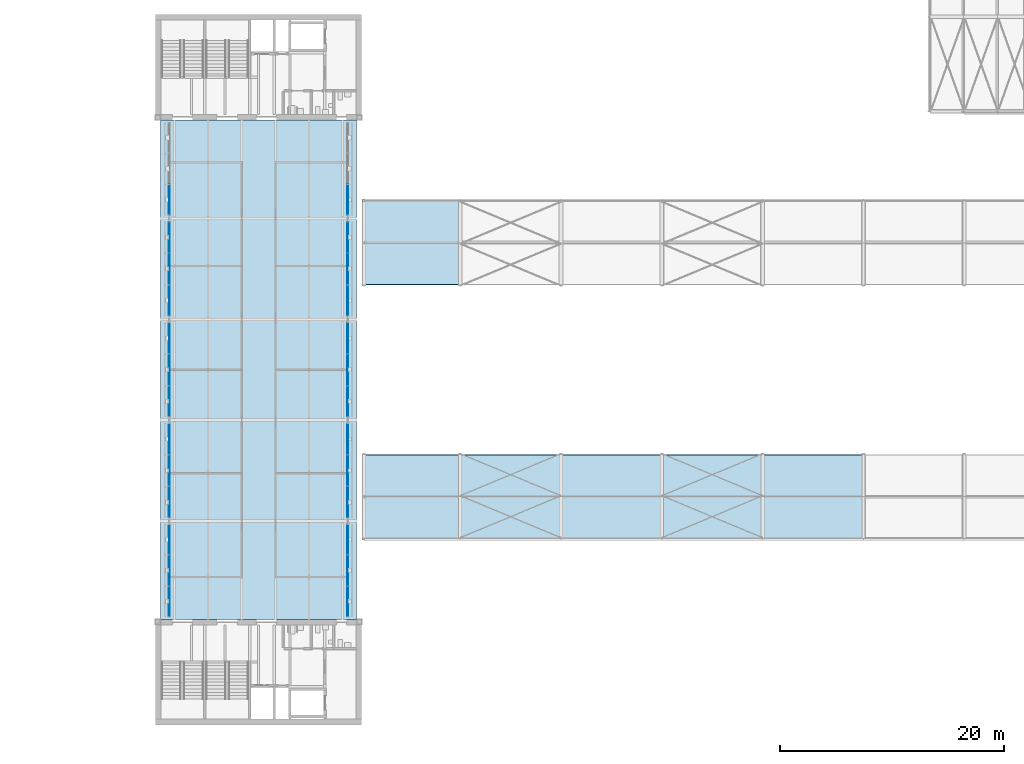
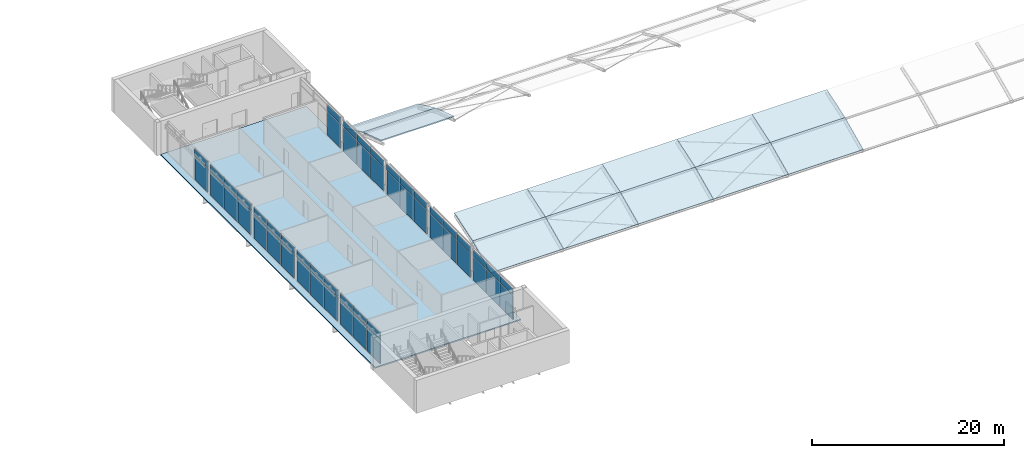
# One storey, part 17 of 54: 52 plates, 13 slabs, 10 elements without a shape of their own.
"""IFC4 building model written with IfcOpenShell, lengths in metres."""

import ifcopenshell
import ifcopenshell.guid

model = None  # the IFC model being written
_history = None  # IfcOwnerHistory: only IFC2X3 demands one
_inside = {}  # id of a spatial element -> (the spatial element, [elements in it])
_under = {}  # id of a project, library or spatial element -> (it, [spatial elements below it])
_declared = {}  # id of a project -> (the project, [libraries it declares])
_typed = {}  # id of a type object -> (the type object, [elements of that type])
_made_of = {}  # id of a material, layer set ... -> (it, [elements and type objects made of it])


def new_model(schema):
    """Start an empty IFC model of exactly this schema.

    Asked for "IFC4X3", IfcOpenShell would pick the latest addendum, in which some entities
    have other attributes; the version numbers below select the first issue.
    IFC2X3 requires an IfcOwnerHistory on every rooted entity: one is made here for all.
    """
    global model, _history
    if schema == "IFC4X3":
        model = ifcopenshell.file(schema_version=(4, 3, 0, 0))
    else:
        model = ifcopenshell.file(schema=schema)
    _inside.clear()
    _under.clear()
    _declared.clear()
    _typed.clear()
    _made_of.clear()
    _history = None
    if model.schema == "IFC2X3":
        org = make("IfcOrganization", Name="unknown")
        user = make(
            "IfcPersonAndOrganization",
            ThePerson=make("IfcPerson", FamilyName="unknown"),
            TheOrganization=org,
        )
        app = make(
            "IfcApplication",
            ApplicationDeveloper=org,
            Version="unknown",
            ApplicationFullName="unknown",
            ApplicationIdentifier="unknown",
        )
        _history = make(
            "IfcOwnerHistory",
            OwningUser=user,
            OwningApplication=app,
            ChangeAction="ADDED",
            CreationDate=0,
        )
    return model


def make(cls, **values):
    """One entity of the class cls with the attributes given. An attribute that is None is left unset."""
    return model.create_entity(
        cls, **{name: value for name, value in values.items() if value is not None}
    )


def rooted(cls, **values):
    """An entity with a GlobalId (a new one), such as an element, a storey or a relation."""
    return make(cls, GlobalId=ifcopenshell.guid.new(), OwnerHistory=_history, **values)


def si_unit(unit_type, name, prefix=None):
    """IfcSIUnit, for example si_unit("LENGTHUNIT", "METRE", prefix="MILLI")."""
    return make("IfcSIUnit", UnitType=unit_type, Prefix=prefix, Name=name)


def assignment(units):
    """IfcUnitAssignment: the units of a project."""
    return None if units is None else make("IfcUnitAssignment", Units=units)


def point(xyz):
    """IfcCartesianPoint."""
    return None if xyz is None else make("IfcCartesianPoint", Coordinates=xyz)


def direction(xyz):
    """IfcDirection."""
    return None if xyz is None else make("IfcDirection", DirectionRatios=xyz)


def frame(location, z_axis=None, x_axis=None):
    """IfcAxis2Placement3D, a coordinate frame: its origin and axes. An axis left out is left unset."""
    return make(
        "IfcAxis2Placement3D",
        Location=point(location),
        Axis=direction(z_axis),
        RefDirection=direction(x_axis),
    )


def frame_2d(location, x_axis=None):
    """IfcAxis2Placement2D, a coordinate frame in the plane: its origin and x axis."""
    return make(
        "IfcAxis2Placement2D", Location=point(location), RefDirection=direction(x_axis)
    )


def origin():
    """The frame at (0, 0, 0) with its axes left unset."""
    return frame((0.0, 0.0, 0.0))


def origin_2d():
    """The frame at (0, 0) in the plane with its x axis left unset."""
    return frame_2d((0.0, 0.0))


def place(relative_to, where):
    """IfcLocalPlacement: puts the frame where relative to a parent placement (None: the world)."""
    return make(
        "IfcLocalPlacement", PlacementRelTo=relative_to, RelativePlacement=where
    )


def context(
    kind, dimensions, precision=None, world=None, true_north=None, identifier=None
):
    """IfcGeometricRepresentationContext, for example the 3D "Model" context."""
    return make(
        "IfcGeometricRepresentationContext",
        ContextIdentifier=identifier,
        ContextType=kind,
        CoordinateSpaceDimension=dimensions,
        Precision=precision,
        WorldCoordinateSystem=world,
        TrueNorth=true_north,
    )


def subcontext(parent, identifier, kind, view, scale=None):
    """IfcGeometricRepresentationSubContext, for example "Body" below "Model"."""
    return make(
        "IfcGeometricRepresentationSubContext",
        ContextIdentifier=identifier,
        ContextType=kind,
        ParentContext=parent,
        TargetScale=scale,
        TargetView=view,
    )


def project(units=None, contexts=None):
    """IfcProject with its units and contexts."""
    return rooted(
        "IfcProject",
        Name="project",
        RepresentationContexts=contexts,
        UnitsInContext=assignment(units),
    )


def spatial(cls, under=None, at=None, **own):
    """A site, building, storey or space (cls), placed at a placement, below another one or the project."""
    s = rooted(cls, ObjectPlacement=at, **own)
    if under is not None:
        _under.setdefault(under.id(), (under, []))[1].append(s)
    return s


def polyline(points):
    """IfcPolyline through the points."""
    return make("IfcPolyline", Points=[point(p) for p in points])


def profile(cls, at=None, kind="AREA", **sizes):
    """A parametric profile (cls). Its sizes go by their IFC names, for example OverallWidth=200.0."""
    return make(cls, ProfileType=kind, Position=at, **sizes)


def rectangle(**sizes):
    """IfcRectangleProfileDef."""
    return profile("IfcRectangleProfileDef", **sizes)


def outline(outer, holes=None, kind="AREA"):
    """IfcArbitraryClosedProfileDef: a profile drawn as a closed curve; with holes, ...WithVoids."""
    if holes is None:
        return make("IfcArbitraryClosedProfileDef", ProfileType=kind, OuterCurve=outer)
    return make(
        "IfcArbitraryProfileDefWithVoids",
        ProfileType=kind,
        OuterCurve=outer,
        InnerCurves=holes,
    )


def extrude(swept, where, along, depth):
    """IfcExtrudedAreaSolid: the profile swept, set in the frame where, extruded along a direction by depth."""
    return make(
        "IfcExtrudedAreaSolid",
        SweptArea=swept,
        Position=where,
        ExtrudedDirection=direction(along),
        Depth=depth,
    )


def shape(context_of_items, identifier, shape_type, items):
    """IfcShapeRepresentation: the items that make up one representation, for example the "Body"."""
    return make(
        "IfcShapeRepresentation",
        ContextOfItems=context_of_items,
        RepresentationIdentifier=identifier,
        RepresentationType=shape_type,
        Items=items,
    )


def material(Name=None, Category=None):
    """IfcMaterial."""
    return make("IfcMaterial", Name=Name, Category=Category)


def layer(
    of_material, thickness, ventilated=None, Name=None, Category=None, Priority=None
):
    """IfcMaterialLayer: one layer of a wall or slab, of a material (None: an air gap)."""
    return make(
        "IfcMaterialLayer",
        Material=of_material,
        LayerThickness=thickness,
        IsVentilated=ventilated,
        Name=Name,
        Category=Category,
        Priority=Priority,
    )


def layer_set(layers, Name=None):
    """IfcMaterialLayerSet."""
    return make("IfcMaterialLayerSet", MaterialLayers=layers, LayerSetName=Name)


def made_of(thing, what):
    """Note that an element or type object is made of a material, layer set ...; save() writes the relation."""
    if what is not None:
        _made_of.setdefault(what.id(), (what, []))[1].append(thing)
    return thing


def type_object(cls, material=None, **own):
    """A type object (cls), such as IfcWallType, which elements share."""
    return made_of(rooted(cls, **own), material)


def element(
    cls,
    number,
    at=None,
    inside=None,
    cuts=None,
    type_object=None,
    material=None,
    context=None,
    identifier="Body",
    shape_type=None,
    held_by="IfcProductDefinitionShape",
    body=None,
    shapes=None,
    **own,
):
    """One element of the class cls, such as IfcWall. Its Tag is "e" and its number.

    at: its placement. inside: the storey or other place that contains it. cuts: it is an
    opening in that element (IfcRelVoidsElement). A single representation is given by context,
    identifier, shape_type and body (its items); several are given by shapes. held_by: the class
    of the entity that holds the representations. save() writes the other relations.
    """
    e = rooted(cls, Tag="e%d" % number, ObjectPlacement=at, **own)
    if body is not None:
        shapes = [shape(context, identifier, shape_type, body)]
    if shapes is not None:
        e.Representation = make(held_by, Representations=shapes)
    if inside is not None:
        _inside.setdefault(inside.id(), (inside, []))[1].append(e)
    if cuts is not None:
        rooted(
            "IfcRelVoidsElement", RelatingBuildingElement=cuts, RelatedOpeningElement=e
        )
    if type_object is not None:
        _typed.setdefault(type_object.id(), (type_object, []))[1].append(e)
    return made_of(e, material)


def aggregate(whole, parts):
    """IfcRelAggregates: a whole, such as a stair, and the parts it consists of."""
    return rooted("IfcRelAggregates", RelatingObject=whole, RelatedObjects=parts)


def save(model, path):
    """Write the relations noted so far, then the file.

    IfcRelAggregates (storeys below a building ...), IfcRelContainedInSpatialStructure (elements
    in a storey), IfcRelDefinesByType, IfcRelAssociatesMaterial and IfcRelDeclares: one each for
    every whole, place, type object, material and project.
    """
    for whole, parts in _under.values():
        aggregate(whole, parts)
    for where, things in _inside.values():
        rooted(
            "IfcRelContainedInSpatialStructure",
            RelatedElements=things,
            RelatingStructure=where,
        )
    for kind, things in _typed.values():
        rooted("IfcRelDefinesByType", RelatedObjects=things, RelatingType=kind)
    for what, things in _made_of.values():
        rooted("IfcRelAssociatesMaterial", RelatedObjects=things, RelatingMaterial=what)
    for by, libraries in _declared.values():
        rooted("IfcRelDeclares", RelatingContext=by, RelatedDefinitions=libraries)
    model.write(path)


model = new_model("IFC4")

# Units and contexts
model_context = context("Model", 3, precision=1e-05, world=origin(), true_north=direction((0.0, 1.0)))
body_context = subcontext(model_context, "Body", "Model", "MODEL_VIEW")
ifc_project = project(units=[si_unit("LENGTHUNIT", "METRE"), si_unit("AREAUNIT", "SQUARE_METRE"), si_unit("VOLUMEUNIT", "CUBIC_METRE"), si_unit("PLANEANGLEUNIT", "RADIAN"), si_unit("MASSUNIT", "GRAM", prefix="KILO")], contexts=[model_context])

# Site, building, storey
site_placement = place(None, origin())
site = spatial("IfcSite", under=ifc_project, at=site_placement, CompositionType="ELEMENT")
building_placement = place(site_placement, origin())
building = spatial("IfcBuilding", under=site, at=building_placement, Name="Baradari Gate Terminus", CompositionType="ELEMENT")
storey_placement = place(building_placement, frame((0.0, 0.0, 15.89990234375)))
storey = spatial("IfcBuildingStorey", under=building, at=storey_placement, Name="L03", CompositionType="ELEMENT", Elevation=15.89990234375)

# Curtain wall, plate
ifc_material_1 = material(Name="Aluminium 6063-T6", Category="aluminium")
curtain_wall_type = type_object("IfcCurtainWallType", Name="Curtain wall CW-3 gate face, office floors", PredefinedType="NOTDEFINED", material=ifc_material_1)
curtain_wall_1_placement = place(storey_placement, origin())
curtain_wall_1 = element("IfcCurtainWall", 1, at=curtain_wall_1_placement, inside=storey, type_object=curtain_wall_type, Name="Curtain wall CW-3 gate west face L03 bay 1", PredefinedType="NOTDEFINED")
ifc_material_2 = material(Name="Insulating glass unit", Category="glass")
ifc_layer_1 = layer(ifc_material_2, 0.0400390625)
ifc_layer_set_1 = layer_set([ifc_layer_1], Name="Insulating glass unit")
plate_type_1 = type_object("IfcPlateType", Name="Curtain wall glazing unit CP-3 40", PredefinedType="CURTAIN_PANEL", material=ifc_layer_set_1)
plate_1_placement = place(storey_placement, frame((73.02490234375, 43.33837890625, 0.080078125), z_axis=(0.0, 0.0, 1.0), x_axis=(0.0, 1.0, 0.0)))
plate_1 = element("IfcPlate", 2, at=plate_1_placement, type_object=plate_type_1, Name="CW-3 panel 3.1", PredefinedType="CURTAIN_PANEL", context=body_context, shape_type="SweptSolid", body=[
    extrude(rectangle(XDim=2.663330078125, YDim=0.0400390625, at=origin_2d()), origin(), (0.0, 0.0, 1.0), 3.030029296875),
])

curtain_wall_2_placement = place(storey_placement, origin())
curtain_wall_2 = element("IfcCurtainWall", 3, at=curtain_wall_2_placement, inside=storey, type_object=curtain_wall_type, Name="Curtain wall CW-3 gate west face L03 bay 2", PredefinedType="NOTDEFINED")
plate_2_placement = place(storey_placement, frame((73.02490234375, 52.313232421875, 0.080078125), z_axis=(0.0, 0.0, 1.0), x_axis=(0.0, 1.0, 0.0)))
plate_2 = element("IfcPlate", 4, at=plate_2_placement, type_object=plate_type_1, Name="CW-3 panel 3.1", PredefinedType="CURTAIN_PANEL", context=body_context, shape_type="SweptSolid", body=[
    extrude(rectangle(XDim=2.71337890625, YDim=0.0400390625, at=origin_2d()), origin(), (0.0, 0.0, 1.0), 3.030029296875),
])

curtain_wall_3_placement = place(storey_placement, origin())
curtain_wall_3 = element("IfcCurtainWall", 5, at=curtain_wall_3_placement, inside=storey, type_object=curtain_wall_type, Name="Curtain wall CW-3 gate west face L03 bay 3", PredefinedType="NOTDEFINED")
plate_3_placement = place(storey_placement, frame((73.02490234375, 61.313232421875, 0.080078125), z_axis=(0.0, 0.0, 1.0), x_axis=(0.0, 1.0, 0.0)))
plate_3 = element("IfcPlate", 6, at=plate_3_placement, type_object=plate_type_1, Name="CW-3 panel 3.1", PredefinedType="CURTAIN_PANEL", context=body_context, shape_type="SweptSolid", body=[
    extrude(rectangle(XDim=2.71337890625, YDim=0.0400390625, at=origin_2d()), origin(), (0.0, 0.0, 1.0), 3.030029296875),
])

curtain_wall_4_placement = place(storey_placement, origin())
curtain_wall_4 = element("IfcCurtainWall", 7, at=curtain_wall_4_placement, inside=storey, type_object=curtain_wall_type, Name="Curtain wall CW-3 gate west face L03 bay 4", PredefinedType="NOTDEFINED")
plate_4_placement = place(storey_placement, frame((73.02490234375, 64.686767578125, 0.080078125), z_axis=(0.0, 0.0, 1.0), x_axis=(0.0, 1.0, 0.0)))
plate_4 = element("IfcPlate", 8, at=plate_4_placement, type_object=plate_type_1, Name="CW-3 panel 1.1", PredefinedType="CURTAIN_PANEL", context=body_context, shape_type="SweptSolid", body=[
    extrude(rectangle(XDim=2.71337890625, YDim=0.0400390625, at=origin_2d()), origin(), (0.0, 0.0, 1.0), 3.030029296875),
])

curtain_wall_5_placement = place(storey_placement, origin())
curtain_wall_5 = element("IfcCurtainWall", 9, at=curtain_wall_5_placement, inside=storey, type_object=curtain_wall_type, Name="Curtain wall CW-3 gate west face L03 bay 5", PredefinedType="NOTDEFINED")
plate_5_placement = place(storey_placement, frame((73.02490234375, 73.66162109375, 0.080078125), z_axis=(0.0, 0.0, 1.0), x_axis=(0.0, 1.0, 0.0)))
plate_5 = element("IfcPlate", 10, at=plate_5_placement, type_object=plate_type_1, Name="CW-3 panel 1.1", PredefinedType="CURTAIN_PANEL", context=body_context, shape_type="SweptSolid", body=[
    extrude(rectangle(XDim=2.663330078125, YDim=0.0400390625, at=origin_2d()), origin(), (0.0, 0.0, 1.0), 3.030029296875),
])

curtain_wall_6_placement = place(storey_placement, origin())
curtain_wall_6 = element("IfcCurtainWall", 11, at=curtain_wall_6_placement, inside=storey, type_object=curtain_wall_type, Name="Curtain wall CW-3 gate east face L03 bay 1", PredefinedType="NOTDEFINED")
plate_6_placement = place(storey_placement, frame((88.97509765625, 43.33837890625, 0.080078125), z_axis=(0.0, 0.0, 1.0), x_axis=(0.0, 1.0, 0.0)))
plate_6 = element("IfcPlate", 12, at=plate_6_placement, type_object=plate_type_1, Name="CW-3 panel 3.1", PredefinedType="CURTAIN_PANEL", context=body_context, shape_type="SweptSolid", body=[
    extrude(rectangle(XDim=2.663330078125, YDim=0.0400390625, at=origin_2d()), origin(), (0.0, 0.0, 1.0), 3.030029296875),
])

curtain_wall_7_placement = place(storey_placement, origin())
curtain_wall_7 = element("IfcCurtainWall", 13, at=curtain_wall_7_placement, inside=storey, type_object=curtain_wall_type, Name="Curtain wall CW-3 gate east face L03 bay 2", PredefinedType="NOTDEFINED")
plate_7_placement = place(storey_placement, frame((88.97509765625, 52.313232421875, 0.080078125), z_axis=(0.0, 0.0, 1.0), x_axis=(0.0, 1.0, 0.0)))
plate_7 = element("IfcPlate", 14, at=plate_7_placement, type_object=plate_type_1, Name="CW-3 panel 3.1", PredefinedType="CURTAIN_PANEL", context=body_context, shape_type="SweptSolid", body=[
    extrude(rectangle(XDim=2.71337890625, YDim=0.0400390625, at=origin_2d()), origin(), (0.0, 0.0, 1.0), 3.030029296875),
])

curtain_wall_8_placement = place(storey_placement, origin())
curtain_wall_8 = element("IfcCurtainWall", 15, at=curtain_wall_8_placement, inside=storey, type_object=curtain_wall_type, Name="Curtain wall CW-3 gate east face L03 bay 3", PredefinedType="NOTDEFINED")
plate_8_placement = place(storey_placement, frame((88.97509765625, 61.313232421875, 0.080078125), z_axis=(0.0, 0.0, 1.0), x_axis=(0.0, 1.0, 0.0)))
plate_8 = element("IfcPlate", 16, at=plate_8_placement, type_object=plate_type_1, Name="CW-3 panel 3.1", PredefinedType="CURTAIN_PANEL", context=body_context, shape_type="SweptSolid", body=[
    extrude(rectangle(XDim=2.71337890625, YDim=0.0400390625, at=origin_2d()), origin(), (0.0, 0.0, 1.0), 3.030029296875),
])

curtain_wall_9_placement = place(storey_placement, origin())
curtain_wall_9 = element("IfcCurtainWall", 17, at=curtain_wall_9_placement, inside=storey, type_object=curtain_wall_type, Name="Curtain wall CW-3 gate east face L03 bay 4", PredefinedType="NOTDEFINED")
plate_9_placement = place(storey_placement, frame((88.97509765625, 64.686767578125, 0.080078125), z_axis=(0.0, 0.0, 1.0), x_axis=(0.0, 1.0, 0.0)))
plate_9 = element("IfcPlate", 18, at=plate_9_placement, type_object=plate_type_1, Name="CW-3 panel 1.1", PredefinedType="CURTAIN_PANEL", context=body_context, shape_type="SweptSolid", body=[
    extrude(rectangle(XDim=2.71337890625, YDim=0.0400390625, at=origin_2d()), origin(), (0.0, 0.0, 1.0), 3.030029296875),
])

curtain_wall_10_placement = place(storey_placement, origin())
curtain_wall_10 = element("IfcCurtainWall", 19, at=curtain_wall_10_placement, inside=storey, type_object=curtain_wall_type, Name="Curtain wall CW-3 gate east face L03 bay 5", PredefinedType="NOTDEFINED")
plate_10_placement = place(storey_placement, frame((88.97509765625, 73.66162109375, 0.080078125), z_axis=(0.0, 0.0, 1.0), x_axis=(0.0, 1.0, 0.0)))
plate_10 = element("IfcPlate", 20, at=plate_10_placement, type_object=plate_type_1, Name="CW-3 panel 1.1", PredefinedType="CURTAIN_PANEL", context=body_context, shape_type="SweptSolid", body=[
    extrude(rectangle(XDim=2.663330078125, YDim=0.0400390625, at=origin_2d()), origin(), (0.0, 0.0, 1.0), 3.030029296875),
])

# Plate
ifc_material_3 = material(Name="Back-painted glass", Category="glass")
ifc_layer_2 = layer(ifc_material_3, 0.080078125)
ifc_layer_set_2 = layer_set([ifc_layer_2], Name="Back-painted glass")
plate_type_2 = type_object("IfcPlateType", Name="Curtain wall spandrel panel CP-S3 80", PredefinedType="CURTAIN_PANEL", material=ifc_layer_set_2)
plate_11_placement = place(storey_placement, frame((73.02490234375, 37.811767578125, 0.080078125), z_axis=(0.0, 0.0, 1.0), x_axis=(0.0, 1.0, 0.0)))
plate_11 = element("IfcPlate", 21, at=plate_11_placement, type_object=plate_type_2, Name="CW-3 spandrel panel 1.1", PredefinedType="CURTAIN_PANEL", context=body_context, shape_type="SweptSolid", body=[
    extrude(rectangle(XDim=2.663330078125, YDim=0.080078125, at=origin_2d()), origin(), (0.0, 0.0, 1.0), 3.030029296875),
])

plate_12_placement = place(storey_placement, frame((73.02490234375, 37.811767578125, 3.18994140625), z_axis=(0.0, 0.0, 1.0), x_axis=(0.0, 1.0, 0.0)))
plate_12 = element("IfcPlate", 22, at=plate_12_placement, type_object=plate_type_2, Name="CW-3 spandrel panel 1.2", PredefinedType="CURTAIN_PANEL", context=body_context, shape_type="SweptSolid", body=[
    extrude(rectangle(XDim=2.663330078125, YDim=0.080078125, at=origin_2d()), origin(), (0.0, 0.0, 1.0), 0.780029296875),
])

plate_13_placement = place(storey_placement, frame((73.02490234375, 40.574951171875, 0.080078125), z_axis=(0.0, 0.0, 1.0), x_axis=(0.0, 1.0, 0.0)))
plate_13 = element("IfcPlate", 23, at=plate_13_placement, type_object=plate_type_2, Name="CW-3 spandrel panel 2.1", PredefinedType="CURTAIN_PANEL", context=body_context, shape_type="SweptSolid", body=[
    extrude(rectangle(XDim=2.703369140625, YDim=0.080078125, at=origin_2d()), origin(), (0.0, 0.0, 1.0), 3.030029296875),
])

plate_14_placement = place(storey_placement, frame((73.02490234375, 40.574951171875, 3.18994140625), z_axis=(0.0, 0.0, 1.0), x_axis=(0.0, 1.0, 0.0)))
plate_14 = element("IfcPlate", 24, at=plate_14_placement, type_object=plate_type_2, Name="CW-3 spandrel panel 2.2", PredefinedType="CURTAIN_PANEL", context=body_context, shape_type="SweptSolid", body=[
    extrude(rectangle(XDim=2.703369140625, YDim=0.080078125, at=origin_2d()), origin(), (0.0, 0.0, 1.0), 0.780029296875),
])

plate_15_placement = place(storey_placement, frame((73.02490234375, 43.33837890625, 3.18994140625), z_axis=(0.0, 0.0, 1.0), x_axis=(0.0, 1.0, 0.0)))
plate_15 = element("IfcPlate", 25, at=plate_15_placement, type_object=plate_type_2, Name="CW-3 spandrel panel 3.2", PredefinedType="CURTAIN_PANEL", context=body_context, shape_type="SweptSolid", body=[
    extrude(rectangle(XDim=2.663330078125, YDim=0.080078125, at=origin_2d()), origin(), (0.0, 0.0, 1.0), 0.780029296875),
])

aggregate(curtain_wall_1, [plate_11, plate_12, plate_13, plate_14, plate_1, plate_15])

plate_16_placement = place(storey_placement, frame((73.02490234375, 46.686767578125, 0.080078125), z_axis=(0.0, 0.0, 1.0), x_axis=(0.0, 1.0, 0.0)))
plate_16 = element("IfcPlate", 26, at=plate_16_placement, type_object=plate_type_2, Name="CW-3 spandrel panel 1.1", PredefinedType="CURTAIN_PANEL", context=body_context, shape_type="SweptSolid", body=[
    extrude(rectangle(XDim=2.71337890625, YDim=0.080078125, at=origin_2d()), origin(), (0.0, 0.0, 1.0), 3.030029296875),
])

plate_17_placement = place(storey_placement, frame((73.02490234375, 46.686767578125, 3.18994140625), z_axis=(0.0, 0.0, 1.0), x_axis=(0.0, 1.0, 0.0)))
plate_17 = element("IfcPlate", 27, at=plate_17_placement, type_object=plate_type_2, Name="CW-3 spandrel panel 1.2", PredefinedType="CURTAIN_PANEL", context=body_context, shape_type="SweptSolid", body=[
    extrude(rectangle(XDim=2.71337890625, YDim=0.080078125, at=origin_2d()), origin(), (0.0, 0.0, 1.0), 0.780029296875),
])

plate_18_placement = place(storey_placement, frame((73.02490234375, 49.5, 0.080078125), z_axis=(0.0, 0.0, 1.0), x_axis=(0.0, 1.0, 0.0)))
plate_18 = element("IfcPlate", 28, at=plate_18_placement, type_object=plate_type_2, Name="CW-3 spandrel panel 2.1", PredefinedType="CURTAIN_PANEL", context=body_context, shape_type="SweptSolid", body=[
    extrude(rectangle(XDim=2.75341796875, YDim=0.080078125, at=origin_2d()), origin(), (0.0, 0.0, 1.0), 3.030029296875),
])

plate_19_placement = place(storey_placement, frame((73.02490234375, 49.5, 3.18994140625), z_axis=(0.0, 0.0, 1.0), x_axis=(0.0, 1.0, 0.0)))
plate_19 = element("IfcPlate", 29, at=plate_19_placement, type_object=plate_type_2, Name="CW-3 spandrel panel 2.2", PredefinedType="CURTAIN_PANEL", context=body_context, shape_type="SweptSolid", body=[
    extrude(rectangle(XDim=2.75341796875, YDim=0.080078125, at=origin_2d()), origin(), (0.0, 0.0, 1.0), 0.780029296875),
])

plate_20_placement = place(storey_placement, frame((73.02490234375, 52.313232421875, 3.18994140625), z_axis=(0.0, 0.0, 1.0), x_axis=(0.0, 1.0, 0.0)))
plate_20 = element("IfcPlate", 30, at=plate_20_placement, type_object=plate_type_2, Name="CW-3 spandrel panel 3.2", PredefinedType="CURTAIN_PANEL", context=body_context, shape_type="SweptSolid", body=[
    extrude(rectangle(XDim=2.71337890625, YDim=0.080078125, at=origin_2d()), origin(), (0.0, 0.0, 1.0), 0.780029296875),
])

aggregate(curtain_wall_2, [plate_16, plate_17, plate_18, plate_19, plate_2, plate_20])

plate_21_placement = place(storey_placement, frame((73.02490234375, 55.686767578125, 0.080078125), z_axis=(0.0, 0.0, 1.0), x_axis=(0.0, 1.0, 0.0)))
plate_21 = element("IfcPlate", 31, at=plate_21_placement, type_object=plate_type_2, Name="CW-3 spandrel panel 1.1", PredefinedType="CURTAIN_PANEL", context=body_context, shape_type="SweptSolid", body=[
    extrude(rectangle(XDim=2.71337890625, YDim=0.080078125, at=origin_2d()), origin(), (0.0, 0.0, 1.0), 3.030029296875),
])

plate_22_placement = place(storey_placement, frame((73.02490234375, 55.686767578125, 3.18994140625), z_axis=(0.0, 0.0, 1.0), x_axis=(0.0, 1.0, 0.0)))
plate_22 = element("IfcPlate", 32, at=plate_22_placement, type_object=plate_type_2, Name="CW-3 spandrel panel 1.2", PredefinedType="CURTAIN_PANEL", context=body_context, shape_type="SweptSolid", body=[
    extrude(rectangle(XDim=2.71337890625, YDim=0.080078125, at=origin_2d()), origin(), (0.0, 0.0, 1.0), 0.780029296875),
])

plate_23_placement = place(storey_placement, frame((73.02490234375, 58.5, 0.080078125), z_axis=(0.0, 0.0, 1.0), x_axis=(0.0, 1.0, 0.0)))
plate_23 = element("IfcPlate", 33, at=plate_23_placement, type_object=plate_type_2, Name="CW-3 spandrel panel 2.1", PredefinedType="CURTAIN_PANEL", context=body_context, shape_type="SweptSolid", body=[
    extrude(rectangle(XDim=2.75341796875, YDim=0.080078125, at=origin_2d()), origin(), (0.0, 0.0, 1.0), 3.030029296875),
])

plate_24_placement = place(storey_placement, frame((73.02490234375, 58.5, 3.18994140625), z_axis=(0.0, 0.0, 1.0), x_axis=(0.0, 1.0, 0.0)))
plate_24 = element("IfcPlate", 34, at=plate_24_placement, type_object=plate_type_2, Name="CW-3 spandrel panel 2.2", PredefinedType="CURTAIN_PANEL", context=body_context, shape_type="SweptSolid", body=[
    extrude(rectangle(XDim=2.75341796875, YDim=0.080078125, at=origin_2d()), origin(), (0.0, 0.0, 1.0), 0.780029296875),
])

plate_25_placement = place(storey_placement, frame((73.02490234375, 61.313232421875, 3.18994140625), z_axis=(0.0, 0.0, 1.0), x_axis=(0.0, 1.0, 0.0)))
plate_25 = element("IfcPlate", 35, at=plate_25_placement, type_object=plate_type_2, Name="CW-3 spandrel panel 3.2", PredefinedType="CURTAIN_PANEL", context=body_context, shape_type="SweptSolid", body=[
    extrude(rectangle(XDim=2.71337890625, YDim=0.080078125, at=origin_2d()), origin(), (0.0, 0.0, 1.0), 0.780029296875),
])

aggregate(curtain_wall_3, [plate_21, plate_22, plate_23, plate_24, plate_3, plate_25])

plate_26_placement = place(storey_placement, frame((73.02490234375, 64.686767578125, 3.18994140625), z_axis=(0.0, 0.0, 1.0), x_axis=(0.0, 1.0, 0.0)))
plate_26 = element("IfcPlate", 36, at=plate_26_placement, type_object=plate_type_2, Name="CW-3 spandrel panel 1.2", PredefinedType="CURTAIN_PANEL", context=body_context, shape_type="SweptSolid", body=[
    extrude(rectangle(XDim=2.71337890625, YDim=0.080078125, at=origin_2d()), origin(), (0.0, 0.0, 1.0), 0.780029296875),
])

plate_27_placement = place(storey_placement, frame((73.02490234375, 67.5, 0.080078125), z_axis=(0.0, 0.0, 1.0), x_axis=(0.0, 1.0, 0.0)))
plate_27 = element("IfcPlate", 37, at=plate_27_placement, type_object=plate_type_2, Name="CW-3 spandrel panel 2.1", PredefinedType="CURTAIN_PANEL", context=body_context, shape_type="SweptSolid", body=[
    extrude(rectangle(XDim=2.75341796875, YDim=0.080078125, at=origin_2d()), origin(), (0.0, 0.0, 1.0), 3.030029296875),
])

plate_28_placement = place(storey_placement, frame((73.02490234375, 67.5, 3.18994140625), z_axis=(0.0, 0.0, 1.0), x_axis=(0.0, 1.0, 0.0)))
plate_28 = element("IfcPlate", 38, at=plate_28_placement, type_object=plate_type_2, Name="CW-3 spandrel panel 2.2", PredefinedType="CURTAIN_PANEL", context=body_context, shape_type="SweptSolid", body=[
    extrude(rectangle(XDim=2.75341796875, YDim=0.080078125, at=origin_2d()), origin(), (0.0, 0.0, 1.0), 0.780029296875),
])

plate_29_placement = place(storey_placement, frame((73.02490234375, 70.313232421875, 0.080078125), z_axis=(0.0, 0.0, 1.0), x_axis=(0.0, 1.0, 0.0)))
plate_29 = element("IfcPlate", 39, at=plate_29_placement, type_object=plate_type_2, Name="CW-3 spandrel panel 3.1", PredefinedType="CURTAIN_PANEL", context=body_context, shape_type="SweptSolid", body=[
    extrude(rectangle(XDim=2.71337890625, YDim=0.080078125, at=origin_2d()), origin(), (0.0, 0.0, 1.0), 3.030029296875),
])

plate_30_placement = place(storey_placement, frame((73.02490234375, 70.313232421875, 3.18994140625), z_axis=(0.0, 0.0, 1.0), x_axis=(0.0, 1.0, 0.0)))
plate_30 = element("IfcPlate", 40, at=plate_30_placement, type_object=plate_type_2, Name="CW-3 spandrel panel 3.2", PredefinedType="CURTAIN_PANEL", context=body_context, shape_type="SweptSolid", body=[
    extrude(rectangle(XDim=2.71337890625, YDim=0.080078125, at=origin_2d()), origin(), (0.0, 0.0, 1.0), 0.780029296875),
])

aggregate(curtain_wall_4, [plate_4, plate_26, plate_27, plate_28, plate_29, plate_30])

plate_31_placement = place(storey_placement, frame((73.02490234375, 73.66162109375, 3.18994140625), z_axis=(0.0, 0.0, 1.0), x_axis=(0.0, 1.0, 0.0)))
plate_31 = element("IfcPlate", 41, at=plate_31_placement, type_object=plate_type_2, Name="CW-3 spandrel panel 1.2", PredefinedType="CURTAIN_PANEL", context=body_context, shape_type="SweptSolid", body=[
    extrude(rectangle(XDim=2.663330078125, YDim=0.080078125, at=origin_2d()), origin(), (0.0, 0.0, 1.0), 0.780029296875),
])

aggregate(curtain_wall_5, [plate_5, plate_31])

plate_32_placement = place(storey_placement, frame((88.97509765625, 37.811767578125, 0.080078125), z_axis=(0.0, 0.0, 1.0), x_axis=(0.0, 1.0, 0.0)))
plate_32 = element("IfcPlate", 42, at=plate_32_placement, type_object=plate_type_2, Name="CW-3 spandrel panel 1.1", PredefinedType="CURTAIN_PANEL", context=body_context, shape_type="SweptSolid", body=[
    extrude(rectangle(XDim=2.663330078125, YDim=0.080078125, at=origin_2d()), origin(), (0.0, 0.0, 1.0), 3.030029296875),
])

plate_33_placement = place(storey_placement, frame((88.97509765625, 37.811767578125, 3.18994140625), z_axis=(0.0, 0.0, 1.0), x_axis=(0.0, 1.0, 0.0)))
plate_33 = element("IfcPlate", 43, at=plate_33_placement, type_object=plate_type_2, Name="CW-3 spandrel panel 1.2", PredefinedType="CURTAIN_PANEL", context=body_context, shape_type="SweptSolid", body=[
    extrude(rectangle(XDim=2.663330078125, YDim=0.080078125, at=origin_2d()), origin(), (0.0, 0.0, 1.0), 0.780029296875),
])

plate_34_placement = place(storey_placement, frame((88.97509765625, 40.574951171875, 0.080078125), z_axis=(0.0, 0.0, 1.0), x_axis=(0.0, 1.0, 0.0)))
plate_34 = element("IfcPlate", 44, at=plate_34_placement, type_object=plate_type_2, Name="CW-3 spandrel panel 2.1", PredefinedType="CURTAIN_PANEL", context=body_context, shape_type="SweptSolid", body=[
    extrude(rectangle(XDim=2.703369140625, YDim=0.080078125, at=origin_2d()), origin(), (0.0, 0.0, 1.0), 3.030029296875),
])

plate_35_placement = place(storey_placement, frame((88.97509765625, 40.574951171875, 3.18994140625), z_axis=(0.0, 0.0, 1.0), x_axis=(0.0, 1.0, 0.0)))
plate_35 = element("IfcPlate", 45, at=plate_35_placement, type_object=plate_type_2, Name="CW-3 spandrel panel 2.2", PredefinedType="CURTAIN_PANEL", context=body_context, shape_type="SweptSolid", body=[
    extrude(rectangle(XDim=2.703369140625, YDim=0.080078125, at=origin_2d()), origin(), (0.0, 0.0, 1.0), 0.780029296875),
])

plate_36_placement = place(storey_placement, frame((88.97509765625, 43.33837890625, 3.18994140625), z_axis=(0.0, 0.0, 1.0), x_axis=(0.0, 1.0, 0.0)))
plate_36 = element("IfcPlate", 46, at=plate_36_placement, type_object=plate_type_2, Name="CW-3 spandrel panel 3.2", PredefinedType="CURTAIN_PANEL", context=body_context, shape_type="SweptSolid", body=[
    extrude(rectangle(XDim=2.663330078125, YDim=0.080078125, at=origin_2d()), origin(), (0.0, 0.0, 1.0), 0.780029296875),
])

aggregate(curtain_wall_6, [plate_32, plate_33, plate_34, plate_35, plate_6, plate_36])

plate_37_placement = place(storey_placement, frame((88.97509765625, 46.686767578125, 0.080078125), z_axis=(0.0, 0.0, 1.0), x_axis=(0.0, 1.0, 0.0)))
plate_37 = element("IfcPlate", 47, at=plate_37_placement, type_object=plate_type_2, Name="CW-3 spandrel panel 1.1", PredefinedType="CURTAIN_PANEL", context=body_context, shape_type="SweptSolid", body=[
    extrude(rectangle(XDim=2.71337890625, YDim=0.080078125, at=origin_2d()), origin(), (0.0, 0.0, 1.0), 3.030029296875),
])

plate_38_placement = place(storey_placement, frame((88.97509765625, 46.686767578125, 3.18994140625), z_axis=(0.0, 0.0, 1.0), x_axis=(0.0, 1.0, 0.0)))
plate_38 = element("IfcPlate", 48, at=plate_38_placement, type_object=plate_type_2, Name="CW-3 spandrel panel 1.2", PredefinedType="CURTAIN_PANEL", context=body_context, shape_type="SweptSolid", body=[
    extrude(rectangle(XDim=2.71337890625, YDim=0.080078125, at=origin_2d()), origin(), (0.0, 0.0, 1.0), 0.780029296875),
])

plate_39_placement = place(storey_placement, frame((88.97509765625, 49.5, 0.080078125), z_axis=(0.0, 0.0, 1.0), x_axis=(0.0, 1.0, 0.0)))
plate_39 = element("IfcPlate", 49, at=plate_39_placement, type_object=plate_type_2, Name="CW-3 spandrel panel 2.1", PredefinedType="CURTAIN_PANEL", context=body_context, shape_type="SweptSolid", body=[
    extrude(rectangle(XDim=2.75341796875, YDim=0.080078125, at=origin_2d()), origin(), (0.0, 0.0, 1.0), 3.030029296875),
])

plate_40_placement = place(storey_placement, frame((88.97509765625, 49.5, 3.18994140625), z_axis=(0.0, 0.0, 1.0), x_axis=(0.0, 1.0, 0.0)))
plate_40 = element("IfcPlate", 50, at=plate_40_placement, type_object=plate_type_2, Name="CW-3 spandrel panel 2.2", PredefinedType="CURTAIN_PANEL", context=body_context, shape_type="SweptSolid", body=[
    extrude(rectangle(XDim=2.75341796875, YDim=0.080078125, at=origin_2d()), origin(), (0.0, 0.0, 1.0), 0.780029296875),
])

plate_41_placement = place(storey_placement, frame((88.97509765625, 52.313232421875, 3.18994140625), z_axis=(0.0, 0.0, 1.0), x_axis=(0.0, 1.0, 0.0)))
plate_41 = element("IfcPlate", 51, at=plate_41_placement, type_object=plate_type_2, Name="CW-3 spandrel panel 3.2", PredefinedType="CURTAIN_PANEL", context=body_context, shape_type="SweptSolid", body=[
    extrude(rectangle(XDim=2.71337890625, YDim=0.080078125, at=origin_2d()), origin(), (0.0, 0.0, 1.0), 0.780029296875),
])

aggregate(curtain_wall_7, [plate_37, plate_38, plate_39, plate_40, plate_7, plate_41])

plate_42_placement = place(storey_placement, frame((88.97509765625, 55.686767578125, 0.080078125), z_axis=(0.0, 0.0, 1.0), x_axis=(0.0, 1.0, 0.0)))
plate_42 = element("IfcPlate", 52, at=plate_42_placement, type_object=plate_type_2, Name="CW-3 spandrel panel 1.1", PredefinedType="CURTAIN_PANEL", context=body_context, shape_type="SweptSolid", body=[
    extrude(rectangle(XDim=2.71337890625, YDim=0.080078125, at=origin_2d()), origin(), (0.0, 0.0, 1.0), 3.030029296875),
])

plate_43_placement = place(storey_placement, frame((88.97509765625, 55.686767578125, 3.18994140625), z_axis=(0.0, 0.0, 1.0), x_axis=(0.0, 1.0, 0.0)))
plate_43 = element("IfcPlate", 53, at=plate_43_placement, type_object=plate_type_2, Name="CW-3 spandrel panel 1.2", PredefinedType="CURTAIN_PANEL", context=body_context, shape_type="SweptSolid", body=[
    extrude(rectangle(XDim=2.71337890625, YDim=0.080078125, at=origin_2d()), origin(), (0.0, 0.0, 1.0), 0.780029296875),
])

plate_44_placement = place(storey_placement, frame((88.97509765625, 58.5, 0.080078125), z_axis=(0.0, 0.0, 1.0), x_axis=(0.0, 1.0, 0.0)))
plate_44 = element("IfcPlate", 54, at=plate_44_placement, type_object=plate_type_2, Name="CW-3 spandrel panel 2.1", PredefinedType="CURTAIN_PANEL", context=body_context, shape_type="SweptSolid", body=[
    extrude(rectangle(XDim=2.75341796875, YDim=0.080078125, at=origin_2d()), origin(), (0.0, 0.0, 1.0), 3.030029296875),
])

plate_45_placement = place(storey_placement, frame((88.97509765625, 58.5, 3.18994140625), z_axis=(0.0, 0.0, 1.0), x_axis=(0.0, 1.0, 0.0)))
plate_45 = element("IfcPlate", 55, at=plate_45_placement, type_object=plate_type_2, Name="CW-3 spandrel panel 2.2", PredefinedType="CURTAIN_PANEL", context=body_context, shape_type="SweptSolid", body=[
    extrude(rectangle(XDim=2.75341796875, YDim=0.080078125, at=origin_2d()), origin(), (0.0, 0.0, 1.0), 0.780029296875),
])

plate_46_placement = place(storey_placement, frame((88.97509765625, 61.313232421875, 3.18994140625), z_axis=(0.0, 0.0, 1.0), x_axis=(0.0, 1.0, 0.0)))
plate_46 = element("IfcPlate", 56, at=plate_46_placement, type_object=plate_type_2, Name="CW-3 spandrel panel 3.2", PredefinedType="CURTAIN_PANEL", context=body_context, shape_type="SweptSolid", body=[
    extrude(rectangle(XDim=2.71337890625, YDim=0.080078125, at=origin_2d()), origin(), (0.0, 0.0, 1.0), 0.780029296875),
])

aggregate(curtain_wall_8, [plate_42, plate_43, plate_44, plate_45, plate_8, plate_46])

plate_47_placement = place(storey_placement, frame((88.97509765625, 64.686767578125, 3.18994140625), z_axis=(0.0, 0.0, 1.0), x_axis=(0.0, 1.0, 0.0)))
plate_47 = element("IfcPlate", 57, at=plate_47_placement, type_object=plate_type_2, Name="CW-3 spandrel panel 1.2", PredefinedType="CURTAIN_PANEL", context=body_context, shape_type="SweptSolid", body=[
    extrude(rectangle(XDim=2.71337890625, YDim=0.080078125, at=origin_2d()), origin(), (0.0, 0.0, 1.0), 0.780029296875),
])

plate_48_placement = place(storey_placement, frame((88.97509765625, 67.5, 0.080078125), z_axis=(0.0, 0.0, 1.0), x_axis=(0.0, 1.0, 0.0)))
plate_48 = element("IfcPlate", 58, at=plate_48_placement, type_object=plate_type_2, Name="CW-3 spandrel panel 2.1", PredefinedType="CURTAIN_PANEL", context=body_context, shape_type="SweptSolid", body=[
    extrude(rectangle(XDim=2.75341796875, YDim=0.080078125, at=origin_2d()), origin(), (0.0, 0.0, 1.0), 3.030029296875),
])

plate_49_placement = place(storey_placement, frame((88.97509765625, 67.5, 3.18994140625), z_axis=(0.0, 0.0, 1.0), x_axis=(0.0, 1.0, 0.0)))
plate_49 = element("IfcPlate", 59, at=plate_49_placement, type_object=plate_type_2, Name="CW-3 spandrel panel 2.2", PredefinedType="CURTAIN_PANEL", context=body_context, shape_type="SweptSolid", body=[
    extrude(rectangle(XDim=2.75341796875, YDim=0.080078125, at=origin_2d()), origin(), (0.0, 0.0, 1.0), 0.780029296875),
])

plate_50_placement = place(storey_placement, frame((88.97509765625, 70.313232421875, 0.080078125), z_axis=(0.0, 0.0, 1.0), x_axis=(0.0, 1.0, 0.0)))
plate_50 = element("IfcPlate", 60, at=plate_50_placement, type_object=plate_type_2, Name="CW-3 spandrel panel 3.1", PredefinedType="CURTAIN_PANEL", context=body_context, shape_type="SweptSolid", body=[
    extrude(rectangle(XDim=2.71337890625, YDim=0.080078125, at=origin_2d()), origin(), (0.0, 0.0, 1.0), 3.030029296875),
])

plate_51_placement = place(storey_placement, frame((88.97509765625, 70.313232421875, 3.18994140625), z_axis=(0.0, 0.0, 1.0), x_axis=(0.0, 1.0, 0.0)))
plate_51 = element("IfcPlate", 61, at=plate_51_placement, type_object=plate_type_2, Name="CW-3 spandrel panel 3.2", PredefinedType="CURTAIN_PANEL", context=body_context, shape_type="SweptSolid", body=[
    extrude(rectangle(XDim=2.71337890625, YDim=0.080078125, at=origin_2d()), origin(), (0.0, 0.0, 1.0), 0.780029296875),
])

aggregate(curtain_wall_9, [plate_9, plate_47, plate_48, plate_49, plate_50, plate_51])

plate_52_placement = place(storey_placement, frame((88.97509765625, 73.66162109375, 3.18994140625), z_axis=(0.0, 0.0, 1.0), x_axis=(0.0, 1.0, 0.0)))
plate_52 = element("IfcPlate", 62, at=plate_52_placement, type_object=plate_type_2, Name="CW-3 spandrel panel 1.2", PredefinedType="CURTAIN_PANEL", context=body_context, shape_type="SweptSolid", body=[
    extrude(rectangle(XDim=2.663330078125, YDim=0.080078125, at=origin_2d()), origin(), (0.0, 0.0, 1.0), 0.780029296875),
])

aggregate(curtain_wall_10, [plate_10, plate_52])

# Slabs
ifc_material_4 = material(Name="Concrete C35/45", Category="concrete")
ifc_layer_3 = layer(ifc_material_4, 0.14990234375)
ifc_layer_set_3 = layer_set([ifc_layer_3], Name="Concrete C35/45")
slab_type_1 = type_object("IfcSlabType", Name="Gate floor slab SL11 150", PredefinedType="FLOOR", material=ifc_layer_set_3)
slab_1_placement = place(storey_placement, frame((0.0, 0.0, -0.14990234375)))
element("IfcSlab", 63, at=slab_1_placement, inside=storey, type_object=slab_type_1, Name="Gate floor", PredefinedType="FLOOR", context=body_context, shape_type="SweptSolid", body=[
    extrude(outline(polyline([(89.75, 36.199951171875), (89.75, 80.800048828125), (72.25, 80.800048828125), (72.25, 36.199951171875), (89.75, 36.199951171875)])), origin(), (0.0, 0.0, 1.0), 0.14990234375),
])
ifc_material_5 = material(Name="Aluminium", Category="aluminium")
ifc_layer_4 = layer(ifc_material_5, 0.1201171875)
ifc_layer_set_4 = layer_set([ifc_layer_4], Name="Aluminium")
slab_type_2 = type_object("IfcSlabType", Name="Shed roof panel", PredefinedType="ROOF", material=ifc_layer_set_4)
slab_2_placement = place(storey_placement, frame((90.25, 43.319091796875, 1.390625), z_axis=(0.0, -0.421791081553, 0.906693048127), x_axis=(1.0, 0.0, 0.0)))
element("IfcSlab", 64, at=slab_2_placement, inside=storey, type_object=slab_type_2, Name="RF/L03/B99-RP02", PredefinedType="ROOF", context=body_context, shape_type="SweptSolid", body=[
    extrude(outline(polyline([(0.0, 0.0), (8.75, 0.0), (8.75, 4.177914394871226), (0.0, 4.177914394871226), (0.0, 0.0)])), origin(), (0.0, 0.0, -1.0), 0.1201171875),
])
for number, where, z_axis, x_axis, name in (
    (65, (90.25, 47.107177734375, 3.15283203125), (0.0, -0.31523827596, 0.949012554906), (1.0, 0.0, 0.0), "RF/L03/B99-RP03"),
    (66, (90.25, 66.098876953125, 4.4130859375), (0.0, 0.31523827596, 0.949012554906), (1.0, 0.0, 0.0), "RF/L03/B99-RP08"),
):
    element("IfcSlab", number, at=place(storey_placement, frame(where, z_axis=z_axis, x_axis=x_axis)), inside=storey, type_object=slab_type_2, Name=name, PredefinedType="ROOF", context=body_context, shape_type="SweptSolid", body=[
        extrude(outline(polyline([(0.0, 0.0), (8.75, 0.0), (8.75, 3.9977820028684787), (0.0, 3.9977820028684787), (0.0, 0.0)])), origin(), (0.0, 0.0, -1.0), 0.1201171875),
    ])
slab_3_placement = place(storey_placement, frame((90.25, 69.892822265625, 3.15283203125), z_axis=(0.0, 0.421791081553, 0.906693048127), x_axis=(1.0, 0.0, 0.0)))
element("IfcSlab", 67, at=slab_3_placement, inside=storey, type_object=slab_type_2, Name="RF/L03/B99-RP09", PredefinedType="ROOF", context=body_context, shape_type="SweptSolid", body=[
    extrude(outline(polyline([(0.0, 0.0), (8.75, 0.0), (8.75, 4.177914394871226), (0.0, 4.177914394871226), (0.0, 0.0)])), origin(), (0.0, 0.0, -1.0), 0.1201171875),
])
slab_4_placement = place(storey_placement, frame((99.0, 43.319091796875, 1.390625), z_axis=(0.0, -0.421791081553, 0.906693048127), x_axis=(1.0, 0.0, 0.0)))
element("IfcSlab", 68, at=slab_4_placement, inside=storey, type_object=slab_type_2, Name="RF/L03/B108-RP02", PredefinedType="ROOF", context=body_context, shape_type="SweptSolid", body=[
    extrude(outline(polyline([(0.0, 0.0), (9.0, 0.0), (9.0, 4.177914394871225), (0.0, 4.177914394871225), (0.0, 0.0)])), origin(), (0.0, 0.0, -1.0), 0.1201171875),
])
slab_5_placement = place(storey_placement, frame((99.0, 47.107177734375, 3.15283203125), z_axis=(0.0, -0.31523827596, 0.949012554906), x_axis=(1.0, 0.0, 0.0)))
element("IfcSlab", 69, at=slab_5_placement, inside=storey, type_object=slab_type_2, Name="RF/L03/B108-RP03", PredefinedType="ROOF", context=body_context, shape_type="SweptSolid", body=[
    extrude(outline(polyline([(0.0, 0.0), (9.0, 0.0), (9.0, 3.9977820028684787), (0.0, 3.9977820028684787), (0.0, 0.0)])), origin(), (0.0, 0.0, -1.0), 0.1201171875),
])
slab_6_placement = place(storey_placement, frame((108.0, 43.319091796875, 1.390625), z_axis=(0.0, -0.421791081553, 0.906693048127), x_axis=(1.0, 0.0, 0.0)))
element("IfcSlab", 70, at=slab_6_placement, inside=storey, type_object=slab_type_2, Name="RF/L03/B117-RP02", PredefinedType="ROOF", context=body_context, shape_type="SweptSolid", body=[
    extrude(outline(polyline([(0.0, 0.0), (9.0, 0.0), (9.0, 4.177914394871225), (0.0, 4.177914394871225), (0.0, 0.0)])), origin(), (0.0, 0.0, -1.0), 0.1201171875),
])
slab_7_placement = place(storey_placement, frame((108.0, 47.107177734375, 3.15283203125), z_axis=(0.0, -0.31523827596, 0.949012554906), x_axis=(1.0, 0.0, 0.0)))
element("IfcSlab", 71, at=slab_7_placement, inside=storey, type_object=slab_type_2, Name="RF/L03/B117-RP03", PredefinedType="ROOF", context=body_context, shape_type="SweptSolid", body=[
    extrude(outline(polyline([(0.0, 0.0), (9.0, 0.0), (9.0, 3.9977820028684787), (0.0, 3.9977820028684787), (0.0, 0.0)])), origin(), (0.0, 0.0, -1.0), 0.1201171875),
])
slab_8_placement = place(storey_placement, frame((117.0, 43.319091796875, 1.390625), z_axis=(0.0, -0.421791081553, 0.906693048127), x_axis=(1.0, 0.0, 0.0)))
element("IfcSlab", 72, at=slab_8_placement, inside=storey, type_object=slab_type_2, Name="RF/L03/B126-RP02", PredefinedType="ROOF", context=body_context, shape_type="SweptSolid", body=[
    extrude(outline(polyline([(0.0, 0.0), (9.0, 0.0), (9.0, 4.177914394871225), (0.0, 4.177914394871225), (0.0, 0.0)])), origin(), (0.0, 0.0, -1.0), 0.1201171875),
])
slab_9_placement = place(storey_placement, frame((117.0, 47.107177734375, 3.15283203125), z_axis=(0.0, -0.31523827596, 0.949012554906), x_axis=(1.0, 0.0, 0.0)))
element("IfcSlab", 73, at=slab_9_placement, inside=storey, type_object=slab_type_2, Name="RF/L03/B126-RP03", PredefinedType="ROOF", context=body_context, shape_type="SweptSolid", body=[
    extrude(outline(polyline([(0.0, 0.0), (9.0, 0.0), (9.0, 3.9977820028684787), (0.0, 3.9977820028684787), (0.0, 0.0)])), origin(), (0.0, 0.0, -1.0), 0.1201171875),
])
slab_10_placement = place(storey_placement, frame((126.0, 43.319091796875, 1.390625), z_axis=(0.0, -0.421791081553, 0.906693048127), x_axis=(1.0, 0.0, 0.0)))
element("IfcSlab", 74, at=slab_10_placement, inside=storey, type_object=slab_type_2, Name="RF/L03/B135-RP02", PredefinedType="ROOF", context=body_context, shape_type="SweptSolid", body=[
    extrude(outline(polyline([(0.0, 0.0), (9.0, 0.0), (9.0, 4.177914394871225), (0.0, 4.177914394871225), (0.0, 0.0)])), origin(), (0.0, 0.0, -1.0), 0.1201171875),
])
slab_11_placement = place(storey_placement, frame((126.0, 47.107177734375, 3.15283203125), z_axis=(0.0, -0.31523827596, 0.949012554906), x_axis=(1.0, 0.0, 0.0)))
element("IfcSlab", 75, at=slab_11_placement, inside=storey, type_object=slab_type_2, Name="RF/L03/B135-RP03", PredefinedType="ROOF", context=body_context, shape_type="SweptSolid", body=[
    extrude(outline(polyline([(0.0, 0.0), (9.0, 0.0), (9.0, 3.9977820028684787), (0.0, 3.9977820028684787), (0.0, 0.0)])), origin(), (0.0, 0.0, -1.0), 0.1201171875),
])

save(model, "model.ifc")
